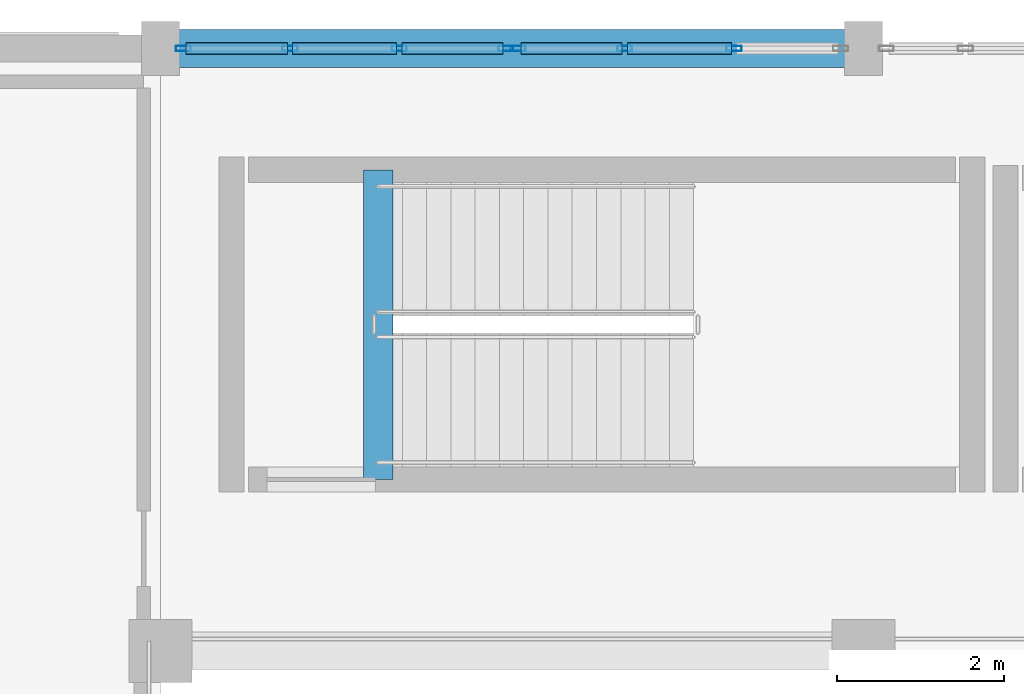
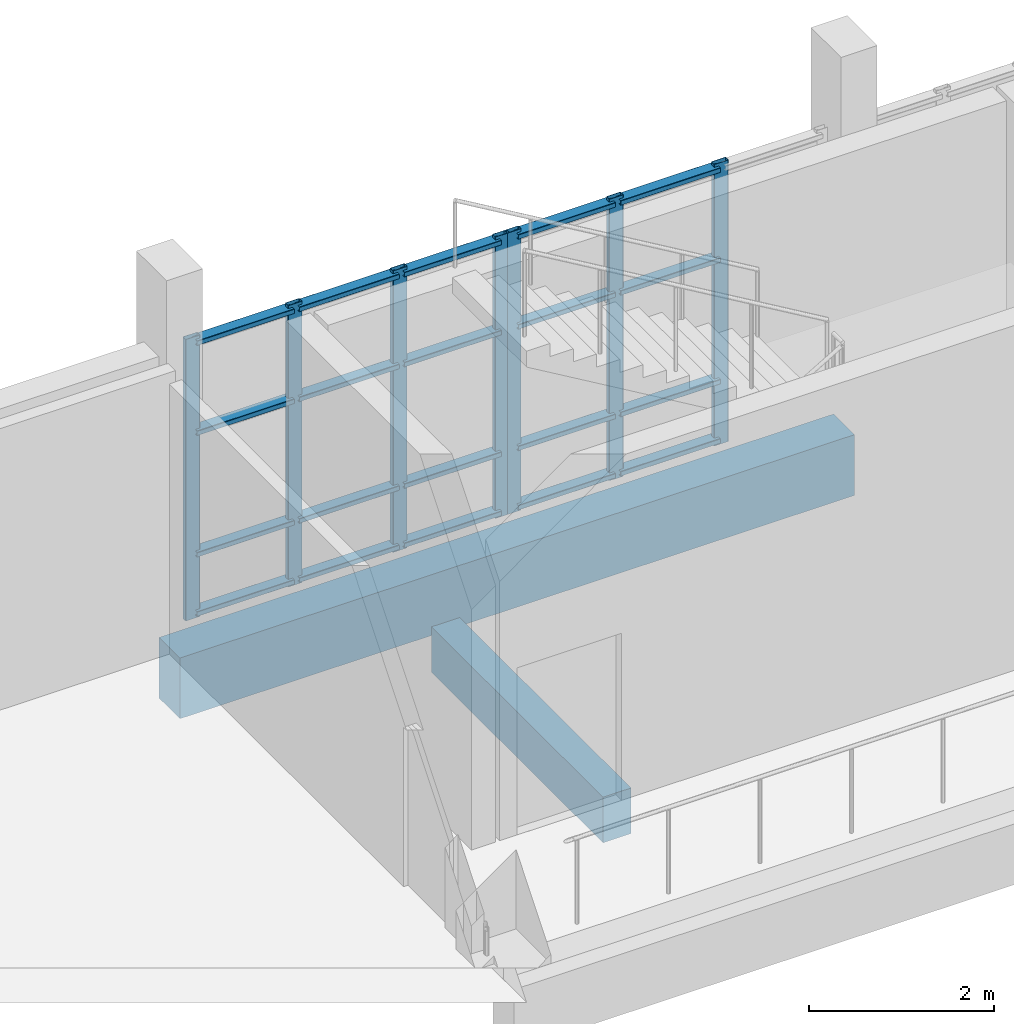
# One storey, part 37 of 106: 27 members, 2 beams, 2 elements without a shape of their own.
"""IFC4 building model written with IfcOpenShell, lengths in metres."""

from ifc_helpers import new_model, si_unit, direction, frame, origin, origin_2d, place, context, subcontext, project, spatial, rectangle, hollow_rectangle, extrude, material, layer, layer_set, material_profile, profile_set, type_object, element, aggregate, save


model = new_model("IFC4")

# Units and contexts
model_context = context("Model", 3, precision=1e-05, world=origin(), true_north=direction((0.0, 1.0)))
body_context = subcontext(model_context, "Body", "Model", "MODEL_VIEW")
ifc_project = project(units=[si_unit("LENGTHUNIT", "METRE"), si_unit("AREAUNIT", "SQUARE_METRE"), si_unit("VOLUMEUNIT", "CUBIC_METRE"), si_unit("PLANEANGLEUNIT", "RADIAN"), si_unit("MASSUNIT", "GRAM", prefix="KILO")], contexts=[model_context])

# Site, building, storey
site_placement = place(None, origin())
site = spatial("IfcSite", under=ifc_project, at=site_placement, CompositionType="ELEMENT")
building_placement = place(site_placement, origin())
building = spatial("IfcBuilding", under=site, at=building_placement, Name="Kisaragi Civic Commons", CompositionType="ELEMENT")
storey_placement = place(building_placement, frame((0.0, 0.0, 4.800048828125)))
storey = spatial("IfcBuildingStorey", under=building, at=storey_placement, Name="L01", CompositionType="ELEMENT", Elevation=4.800048828125)

# Curtain wall, members
ifc_material_1 = material(Name="Thermally broken anodized aluminium and low-E double glazing", Category="aluminium")
ifc_layer = layer(ifc_material_1, 0.179931640625, Name="Thermally broken anodized aluminium and low-E double glazing", Category="aluminium")
ifc_layer_set = layer_set([ifc_layer], Name="Thermally broken anodized aluminium and low-E double glazing")
curtain_wall_type = type_object("IfcCurtainWallType", Name="CW-01", PredefinedType="NOTDEFINED", material=ifc_layer_set)
curtain_wall_1_placement = place(storey_placement, origin())
curtain_wall_1 = element("IfcCurtainWall", 1, at=curtain_wall_1_placement, inside=storey, type_object=curtain_wall_type, Name="L01 curtain wall CW-01 CW-V4-L01-061", PredefinedType="NOTDEFINED")
ifc_material_profile_1 = material_profile(ifc_material_1, hollow_rectangle(XDim=0.06494140625, YDim=0.179931640625, WallThickness=0.00439453125, InnerFilletRadius=0.00439453125, OuterFilletRadius=0.009033203125, at=origin_2d()), Name="CWM-65x180x4.5", Category="aluminium")
ifc_profile_set_1 = profile_set([ifc_material_profile_1], Name="Thermally broken anodized aluminium and low-E double glazing")
member_type_1 = type_object("IfcMemberType", Name="CWM-02", PredefinedType="MULLION", material=ifc_profile_set_1)
member_1_placement = place(storey_placement, frame((89.072509765625, 118.800048828125, 0.0), z_axis=(0.0, 0.0, 1.0), x_axis=(0.0, 1.0, 0.0)))
member_1 = element("IfcMember", 2, at=member_1_placement, type_object=member_type_1, Name="CW-01 mullion 1", PredefinedType="MULLION", context=body_context, shape_type="SweptSolid", body=[
    extrude(hollow_rectangle(XDim=0.06494140625, YDim=0.179931640625, WallThickness=0.00439453125, InnerFilletRadius=0.00439453125, OuterFilletRadius=0.009033203125, at=origin_2d()), origin(), (0.0, 0.0, 1.0), 3.704833984375),
])
member_2_placement = place(storey_placement, frame((90.3466796875, 118.800048828125, 0.0), z_axis=(0.0, 0.0, 1.0), x_axis=(0.0, 1.0, 0.0)))
member_2 = element("IfcMember", 3, at=member_2_placement, type_object=member_type_1, Name="CW-01 mullion 2", PredefinedType="MULLION", context=body_context, shape_type="SweptSolid", body=[
    extrude(hollow_rectangle(XDim=0.06494140625, YDim=0.179931640625, WallThickness=0.00439453125, InnerFilletRadius=0.00439453125, OuterFilletRadius=0.009033203125, at=origin_2d()), origin(), (0.0, 0.0, 1.0), 3.704833984375),
])
member_3_placement = place(storey_placement, frame((91.6533203125, 118.800048828125, 0.0), z_axis=(0.0, 0.0, 1.0), x_axis=(0.0, 1.0, 0.0)))
member_3 = element("IfcMember", 4, at=member_3_placement, type_object=member_type_1, Name="CW-01 mullion 3", PredefinedType="MULLION", context=body_context, shape_type="SweptSolid", body=[
    extrude(hollow_rectangle(XDim=0.06494140625, YDim=0.179931640625, WallThickness=0.00439453125, InnerFilletRadius=0.00439453125, OuterFilletRadius=0.009033203125, at=origin_2d()), origin(), (0.0, 0.0, 1.0), 3.704833984375),
])
member_4_placement = place(storey_placement, frame((92.927490234375, 118.800048828125, 0.0), z_axis=(0.0, 0.0, 1.0), x_axis=(0.0, 1.0, 0.0)))
member_4 = element("IfcMember", 5, at=member_4_placement, type_object=member_type_1, Name="CW-01 mullion 4", PredefinedType="MULLION", context=body_context, shape_type="SweptSolid", body=[
    extrude(hollow_rectangle(XDim=0.06494140625, YDim=0.179931640625, WallThickness=0.00439453125, InnerFilletRadius=0.00439453125, OuterFilletRadius=0.009033203125, at=origin_2d()), origin(), (0.0, 0.0, 1.0), 3.704833984375),
])

curtain_wall_2_placement = place(storey_placement, origin())
curtain_wall_2 = element("IfcCurtainWall", 6, at=curtain_wall_2_placement, inside=storey, type_object=curtain_wall_type, Name="L01 curtain wall CW-01 CW-V4-L01-062", PredefinedType="NOTDEFINED")
member_5_placement = place(storey_placement, frame((93.072509765625, 118.800048828125, 0.0), z_axis=(0.0, 0.0, 1.0), x_axis=(0.0, 1.0, 0.0)))
member_5 = element("IfcMember", 7, at=member_5_placement, type_object=member_type_1, Name="CW-01 mullion 1", PredefinedType="MULLION", context=body_context, shape_type="SweptSolid", body=[
    extrude(hollow_rectangle(XDim=0.06494140625, YDim=0.179931640625, WallThickness=0.00439453125, InnerFilletRadius=0.00439453125, OuterFilletRadius=0.009033203125, at=origin_2d()), origin(), (0.0, 0.0, 1.0), 3.704833984375),
])
member_6_placement = place(storey_placement, frame((94.3466796875, 118.800048828125, 0.0), z_axis=(0.0, 0.0, 1.0), x_axis=(0.0, 1.0, 0.0)))
member_6 = element("IfcMember", 8, at=member_6_placement, type_object=member_type_1, Name="CW-01 mullion 2", PredefinedType="MULLION", context=body_context, shape_type="SweptSolid", body=[
    extrude(hollow_rectangle(XDim=0.06494140625, YDim=0.179931640625, WallThickness=0.00439453125, InnerFilletRadius=0.00439453125, OuterFilletRadius=0.009033203125, at=origin_2d()), origin(), (0.0, 0.0, 1.0), 3.704833984375),
])
member_7_placement = place(storey_placement, frame((95.6533203125, 118.800048828125, 0.0), z_axis=(0.0, 0.0, 1.0), x_axis=(0.0, 1.0, 0.0)))
member_7 = element("IfcMember", 9, at=member_7_placement, type_object=member_type_1, Name="CW-01 mullion 3", PredefinedType="MULLION", context=body_context, shape_type="SweptSolid", body=[
    extrude(hollow_rectangle(XDim=0.06494140625, YDim=0.179931640625, WallThickness=0.00439453125, InnerFilletRadius=0.00439453125, OuterFilletRadius=0.009033203125, at=origin_2d()), origin(), (0.0, 0.0, 1.0), 3.704833984375),
])

# Member
ifc_material_profile_2 = material_profile(ifc_material_1, hollow_rectangle(XDim=0.139892578125, YDim=0.06494140625, WallThickness=0.00439453125, InnerFilletRadius=0.00439453125, OuterFilletRadius=0.009033203125, at=origin_2d()), Name="CWT-65x140x4.5", Category="aluminium")
ifc_profile_set_2 = profile_set([ifc_material_profile_2], Name="Thermally broken anodized aluminium and low-E double glazing")
member_type_2 = type_object("IfcMemberType", Name="CWT-02", PredefinedType="USERDEFINED", material=ifc_profile_set_2)
member_8_placement = place(storey_placement, frame((89.10498046875, 118.800048828125, 0.070068359375), z_axis=(1.0, 0.0, 0.0), x_axis=(0.0, 1.0, 0.0)))
member_8 = element("IfcMember", 10, at=member_8_placement, type_object=member_type_2, Name="CW-01 transom 1.1", ObjectType="TRANSOM", PredefinedType="USERDEFINED", context=body_context, shape_type="SweptSolid", body=[
    extrude(hollow_rectangle(XDim=0.139892578125, YDim=0.06494140625, WallThickness=0.00439453125, InnerFilletRadius=0.00439453125, OuterFilletRadius=0.009033203125, at=origin_2d()), origin(), (0.0, 0.0, 1.0), 1.209228515625),
])

member_9_placement = place(storey_placement, frame((89.10498046875, 118.800048828125, 0.849853515625), z_axis=(1.0, 0.0, 0.0), x_axis=(0.0, 1.0, 0.0)))
member_9 = element("IfcMember", 11, at=member_9_placement, type_object=member_type_2, Name="CW-01 transom 1.2", ObjectType="TRANSOM", PredefinedType="USERDEFINED", context=body_context, shape_type="SweptSolid", body=[
    extrude(hollow_rectangle(XDim=0.139892578125, YDim=0.06494140625, WallThickness=0.00439453125, InnerFilletRadius=0.00439453125, OuterFilletRadius=0.009033203125, at=origin_2d()), origin(), (0.0, 0.0, 1.0), 1.209228515625),
])

member_10_placement = place(storey_placement, frame((89.10498046875, 118.800048828125, 2.449951171875), z_axis=(1.0, 0.0, 0.0), x_axis=(0.0, 1.0, 0.0)))
member_10 = element("IfcMember", 12, at=member_10_placement, type_object=member_type_2, Name="CW-01 transom 1.3", ObjectType="TRANSOM", PredefinedType="USERDEFINED", context=body_context, shape_type="SweptSolid", body=[
    extrude(hollow_rectangle(XDim=0.139892578125, YDim=0.06494140625, WallThickness=0.00439453125, InnerFilletRadius=0.00439453125, OuterFilletRadius=0.009033203125, at=origin_2d()), origin(), (0.0, 0.0, 1.0), 1.209228515625),
])

member_11_placement = place(storey_placement, frame((89.10498046875, 118.800048828125, 3.635009765625), z_axis=(1.0, 0.0, 0.0), x_axis=(0.0, 1.0, 0.0)))
member_11 = element("IfcMember", 13, at=member_11_placement, type_object=member_type_2, Name="CW-01 transom 1.4", ObjectType="TRANSOM", PredefinedType="USERDEFINED", context=body_context, shape_type="SweptSolid", body=[
    extrude(hollow_rectangle(XDim=0.139892578125, YDim=0.06494140625, WallThickness=0.00439453125, InnerFilletRadius=0.00439453125, OuterFilletRadius=0.009033203125, at=origin_2d()), origin(), (0.0, 0.0, 1.0), 1.209228515625),
])

member_12_placement = place(storey_placement, frame((90.379150390625, 118.800048828125, 0.070068359375), z_axis=(1.0, 0.0, 0.0), x_axis=(0.0, 1.0, 0.0)))
member_12 = element("IfcMember", 14, at=member_12_placement, type_object=member_type_2, Name="CW-01 transom 2.1", ObjectType="TRANSOM", PredefinedType="USERDEFINED", context=body_context, shape_type="SweptSolid", body=[
    extrude(hollow_rectangle(XDim=0.139892578125, YDim=0.06494140625, WallThickness=0.00439453125, InnerFilletRadius=0.00439453125, OuterFilletRadius=0.009033203125, at=origin_2d()), origin(), (0.0, 0.0, 1.0), 1.24169921875),
])

member_13_placement = place(storey_placement, frame((90.379150390625, 118.800048828125, 0.849853515625), z_axis=(1.0, 0.0, 0.0), x_axis=(0.0, 1.0, 0.0)))
member_13 = element("IfcMember", 15, at=member_13_placement, type_object=member_type_2, Name="CW-01 transom 2.2", ObjectType="TRANSOM", PredefinedType="USERDEFINED", context=body_context, shape_type="SweptSolid", body=[
    extrude(hollow_rectangle(XDim=0.139892578125, YDim=0.06494140625, WallThickness=0.00439453125, InnerFilletRadius=0.00439453125, OuterFilletRadius=0.009033203125, at=origin_2d()), origin(), (0.0, 0.0, 1.0), 1.24169921875),
])

member_14_placement = place(storey_placement, frame((90.379150390625, 118.800048828125, 2.449951171875), z_axis=(1.0, 0.0, 0.0), x_axis=(0.0, 1.0, 0.0)))
member_14 = element("IfcMember", 16, at=member_14_placement, type_object=member_type_2, Name="CW-01 transom 2.3", ObjectType="TRANSOM", PredefinedType="USERDEFINED", context=body_context, shape_type="SweptSolid", body=[
    extrude(hollow_rectangle(XDim=0.139892578125, YDim=0.06494140625, WallThickness=0.00439453125, InnerFilletRadius=0.00439453125, OuterFilletRadius=0.009033203125, at=origin_2d()), origin(), (0.0, 0.0, 1.0), 1.24169921875),
])

member_15_placement = place(storey_placement, frame((90.379150390625, 118.800048828125, 3.635009765625), z_axis=(1.0, 0.0, 0.0), x_axis=(0.0, 1.0, 0.0)))
member_15 = element("IfcMember", 17, at=member_15_placement, type_object=member_type_2, Name="CW-01 transom 2.4", ObjectType="TRANSOM", PredefinedType="USERDEFINED", context=body_context, shape_type="SweptSolid", body=[
    extrude(hollow_rectangle(XDim=0.139892578125, YDim=0.06494140625, WallThickness=0.00439453125, InnerFilletRadius=0.00439453125, OuterFilletRadius=0.009033203125, at=origin_2d()), origin(), (0.0, 0.0, 1.0), 1.24169921875),
])

member_16_placement = place(storey_placement, frame((91.685791015625, 118.800048828125, 0.070068359375), z_axis=(1.0, 0.0, 0.0), x_axis=(0.0, 1.0, 0.0)))
member_16 = element("IfcMember", 18, at=member_16_placement, type_object=member_type_2, Name="CW-01 transom 3.1", ObjectType="TRANSOM", PredefinedType="USERDEFINED", context=body_context, shape_type="SweptSolid", body=[
    extrude(hollow_rectangle(XDim=0.139892578125, YDim=0.06494140625, WallThickness=0.00439453125, InnerFilletRadius=0.00439453125, OuterFilletRadius=0.009033203125, at=origin_2d()), origin(), (0.0, 0.0, 1.0), 1.209228515625),
])

member_17_placement = place(storey_placement, frame((91.685791015625, 118.800048828125, 0.849853515625), z_axis=(1.0, 0.0, 0.0), x_axis=(0.0, 1.0, 0.0)))
member_17 = element("IfcMember", 19, at=member_17_placement, type_object=member_type_2, Name="CW-01 transom 3.2", ObjectType="TRANSOM", PredefinedType="USERDEFINED", context=body_context, shape_type="SweptSolid", body=[
    extrude(hollow_rectangle(XDim=0.139892578125, YDim=0.06494140625, WallThickness=0.00439453125, InnerFilletRadius=0.00439453125, OuterFilletRadius=0.009033203125, at=origin_2d()), origin(), (0.0, 0.0, 1.0), 1.209228515625),
])

member_18_placement = place(storey_placement, frame((91.685791015625, 118.800048828125, 2.449951171875), z_axis=(1.0, 0.0, 0.0), x_axis=(0.0, 1.0, 0.0)))
member_18 = element("IfcMember", 20, at=member_18_placement, type_object=member_type_2, Name="CW-01 transom 3.3", ObjectType="TRANSOM", PredefinedType="USERDEFINED", context=body_context, shape_type="SweptSolid", body=[
    extrude(hollow_rectangle(XDim=0.139892578125, YDim=0.06494140625, WallThickness=0.00439453125, InnerFilletRadius=0.00439453125, OuterFilletRadius=0.009033203125, at=origin_2d()), origin(), (0.0, 0.0, 1.0), 1.209228515625),
])

member_19_placement = place(storey_placement, frame((91.685791015625, 118.800048828125, 3.635009765625), z_axis=(1.0, 0.0, 0.0), x_axis=(0.0, 1.0, 0.0)))
member_19 = element("IfcMember", 21, at=member_19_placement, type_object=member_type_2, Name="CW-01 transom 3.4", ObjectType="TRANSOM", PredefinedType="USERDEFINED", context=body_context, shape_type="SweptSolid", body=[
    extrude(hollow_rectangle(XDim=0.139892578125, YDim=0.06494140625, WallThickness=0.00439453125, InnerFilletRadius=0.00439453125, OuterFilletRadius=0.009033203125, at=origin_2d()), origin(), (0.0, 0.0, 1.0), 1.209228515625),
])

aggregate(curtain_wall_1, [member_1, member_2, member_3, member_4, member_8, member_9, member_10, member_11, member_12, member_13, member_14, member_15, member_16, member_17, member_18, member_19])

member_20_placement = place(storey_placement, frame((93.10498046875, 118.800048828125, 0.070068359375), z_axis=(1.0, 0.0, 0.0), x_axis=(0.0, 1.0, 0.0)))
member_20 = element("IfcMember", 22, at=member_20_placement, type_object=member_type_2, Name="CW-01 transom 1.1", ObjectType="TRANSOM", PredefinedType="USERDEFINED", context=body_context, shape_type="SweptSolid", body=[
    extrude(hollow_rectangle(XDim=0.139892578125, YDim=0.06494140625, WallThickness=0.00439453125, InnerFilletRadius=0.00439453125, OuterFilletRadius=0.009033203125, at=origin_2d()), origin(), (0.0, 0.0, 1.0), 1.209228515625),
])

member_21_placement = place(storey_placement, frame((93.10498046875, 118.800048828125, 0.849853515625), z_axis=(1.0, 0.0, 0.0), x_axis=(0.0, 1.0, 0.0)))
member_21 = element("IfcMember", 23, at=member_21_placement, type_object=member_type_2, Name="CW-01 transom 1.2", ObjectType="TRANSOM", PredefinedType="USERDEFINED", context=body_context, shape_type="SweptSolid", body=[
    extrude(hollow_rectangle(XDim=0.139892578125, YDim=0.06494140625, WallThickness=0.00439453125, InnerFilletRadius=0.00439453125, OuterFilletRadius=0.009033203125, at=origin_2d()), origin(), (0.0, 0.0, 1.0), 1.209228515625),
])

member_22_placement = place(storey_placement, frame((93.10498046875, 118.800048828125, 2.449951171875), z_axis=(1.0, 0.0, 0.0), x_axis=(0.0, 1.0, 0.0)))
member_22 = element("IfcMember", 24, at=member_22_placement, type_object=member_type_2, Name="CW-01 transom 1.3", ObjectType="TRANSOM", PredefinedType="USERDEFINED", context=body_context, shape_type="SweptSolid", body=[
    extrude(hollow_rectangle(XDim=0.139892578125, YDim=0.06494140625, WallThickness=0.00439453125, InnerFilletRadius=0.00439453125, OuterFilletRadius=0.009033203125, at=origin_2d()), origin(), (0.0, 0.0, 1.0), 1.209228515625),
])

member_23_placement = place(storey_placement, frame((93.10498046875, 118.800048828125, 3.635009765625), z_axis=(1.0, 0.0, 0.0), x_axis=(0.0, 1.0, 0.0)))
member_23 = element("IfcMember", 25, at=member_23_placement, type_object=member_type_2, Name="CW-01 transom 1.4", ObjectType="TRANSOM", PredefinedType="USERDEFINED", context=body_context, shape_type="SweptSolid", body=[
    extrude(hollow_rectangle(XDim=0.139892578125, YDim=0.06494140625, WallThickness=0.00439453125, InnerFilletRadius=0.00439453125, OuterFilletRadius=0.009033203125, at=origin_2d()), origin(), (0.0, 0.0, 1.0), 1.209228515625),
])

member_24_placement = place(storey_placement, frame((94.379150390625, 118.800048828125, 0.070068359375), z_axis=(1.0, 0.0, 0.0), x_axis=(0.0, 1.0, 0.0)))
member_24 = element("IfcMember", 26, at=member_24_placement, type_object=member_type_2, Name="CW-01 transom 2.1", ObjectType="TRANSOM", PredefinedType="USERDEFINED", context=body_context, shape_type="SweptSolid", body=[
    extrude(hollow_rectangle(XDim=0.139892578125, YDim=0.06494140625, WallThickness=0.00439453125, InnerFilletRadius=0.00439453125, OuterFilletRadius=0.009033203125, at=origin_2d()), origin(), (0.0, 0.0, 1.0), 1.24169921875),
])

member_25_placement = place(storey_placement, frame((94.379150390625, 118.800048828125, 0.849853515625), z_axis=(1.0, 0.0, 0.0), x_axis=(0.0, 1.0, 0.0)))
member_25 = element("IfcMember", 27, at=member_25_placement, type_object=member_type_2, Name="CW-01 transom 2.2", ObjectType="TRANSOM", PredefinedType="USERDEFINED", context=body_context, shape_type="SweptSolid", body=[
    extrude(hollow_rectangle(XDim=0.139892578125, YDim=0.06494140625, WallThickness=0.00439453125, InnerFilletRadius=0.00439453125, OuterFilletRadius=0.009033203125, at=origin_2d()), origin(), (0.0, 0.0, 1.0), 1.24169921875),
])

member_26_placement = place(storey_placement, frame((94.379150390625, 118.800048828125, 2.449951171875), z_axis=(1.0, 0.0, 0.0), x_axis=(0.0, 1.0, 0.0)))
member_26 = element("IfcMember", 28, at=member_26_placement, type_object=member_type_2, Name="CW-01 transom 2.3", ObjectType="TRANSOM", PredefinedType="USERDEFINED", context=body_context, shape_type="SweptSolid", body=[
    extrude(hollow_rectangle(XDim=0.139892578125, YDim=0.06494140625, WallThickness=0.00439453125, InnerFilletRadius=0.00439453125, OuterFilletRadius=0.009033203125, at=origin_2d()), origin(), (0.0, 0.0, 1.0), 1.24169921875),
])

member_27_placement = place(storey_placement, frame((94.379150390625, 118.800048828125, 3.635009765625), z_axis=(1.0, 0.0, 0.0), x_axis=(0.0, 1.0, 0.0)))
member_27 = element("IfcMember", 29, at=member_27_placement, type_object=member_type_2, Name="CW-01 transom 2.4", ObjectType="TRANSOM", PredefinedType="USERDEFINED", context=body_context, shape_type="SweptSolid", body=[
    extrude(hollow_rectangle(XDim=0.139892578125, YDim=0.06494140625, WallThickness=0.00439453125, InnerFilletRadius=0.00439453125, OuterFilletRadius=0.009033203125, at=origin_2d()), origin(), (0.0, 0.0, 1.0), 1.24169921875),
])

aggregate(curtain_wall_2, [member_5, member_6, member_7, member_20, member_21, member_22, member_23, member_24, member_25, member_26, member_27])

# Beams
ifc_material_2 = material(Name="Concrete Fc30", Category="concrete")
ifc_material_profile_3 = material_profile(ifc_material_2, rectangle(XDim=0.35009765625, YDim=0.60009765625, at=origin_2d()), Name="RC-350x600", Category="concrete")
ifc_profile_set_3 = profile_set([ifc_material_profile_3], Name="Concrete Fc30")
beam_type_1 = type_object("IfcBeamType", Name="G-14", PredefinedType="BEAM", material=ifc_profile_set_3)
beam_1_placement = place(storey_placement, frame((91.39990234375, 113.64990234375, -0.300048828125), z_axis=(0.0, 1.0, 0.0), x_axis=(-1.0, 0.0, 0.0)))
element("IfcBeam", 30, at=beam_1_placement, inside=storey, type_object=beam_type_1, Name="ST-L4 L01 stair landing trimmer beam", PredefinedType="BEAM", context=body_context, shape_type="SweptSolid", body=[
    extrude(rectangle(XDim=0.35009765625, YDim=0.60009765625, at=origin_2d()), origin(), (0.0, 0.0, 1.0), 3.7001953125),
])
ifc_material_profile_4 = material_profile(ifc_material_2, rectangle(XDim=0.449951171875, YDim=0.800048828125, at=origin_2d()), Name="RC-450x800", Category="concrete")
ifc_profile_set_4 = profile_set([ifc_material_profile_4], Name="Concrete Fc30")
beam_type_2 = type_object("IfcBeamType", Name="SPB-01", PredefinedType="SPANDREL", material=ifc_profile_set_4)
beam_2_placement = place(storey_placement, frame((88.800048828125, 118.800048828125, -0.705078125), z_axis=(1.0, 0.0, 0.0), x_axis=(0.0, 1.0, 0.0)))
element("IfcBeam", 31, at=beam_2_placement, inside=storey, type_object=beam_type_2, Name="L01 girder SPB-01 237", PredefinedType="SPANDREL", context=body_context, shape_type="SweptSolid", body=[
    extrude(rectangle(XDim=0.449951171875, YDim=0.800048828125, at=origin_2d()), origin(), (0.0, 0.0, 1.0), 8.39990234375),
])

save(model, "model.ifc")
